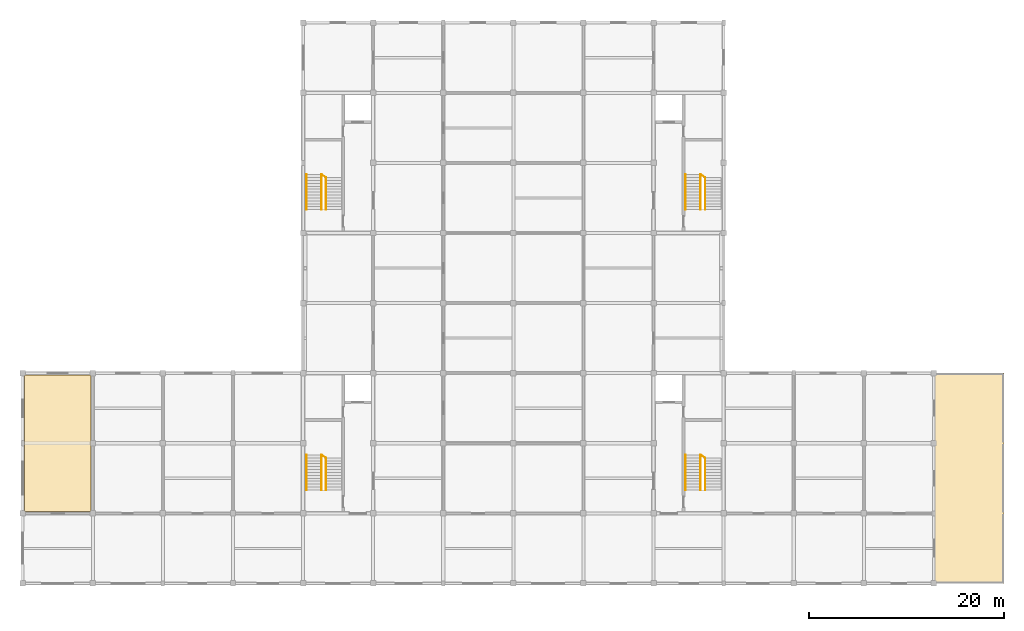
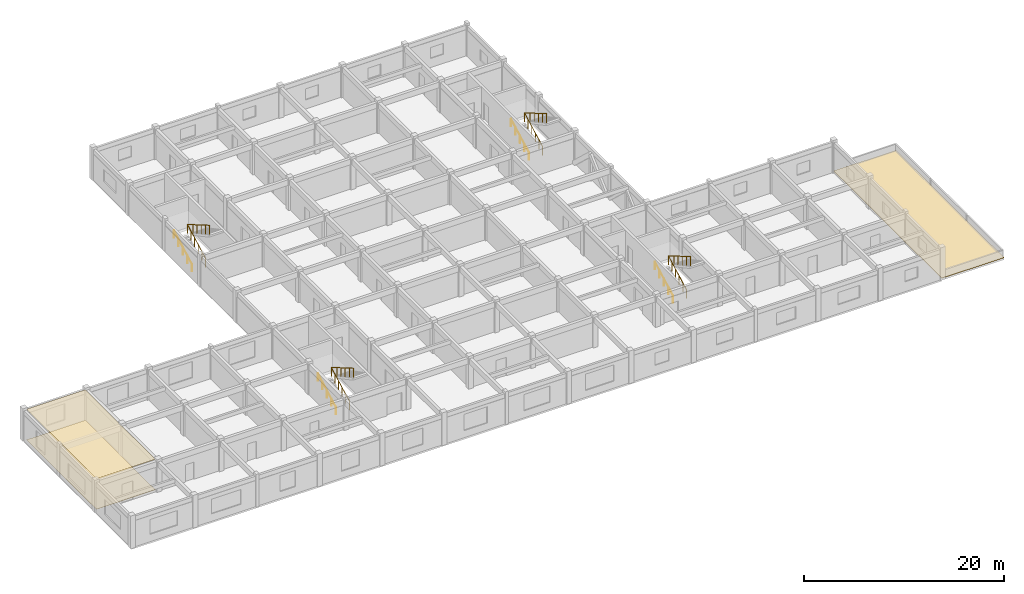
# One storey, part 10 of 10: 8 railings, 3 coverings.
"""IFC4 building model written with IfcOpenShell, lengths in metres."""

import ifcopenshell
import ifcopenshell.guid

model = None  # the IFC model being written
_history = None  # IfcOwnerHistory: only IFC2X3 demands one
_inside = {}  # id of a spatial element -> (the spatial element, [elements in it])
_under = {}  # id of a project, library or spatial element -> (it, [spatial elements below it])
_declared = {}  # id of a project -> (the project, [libraries it declares])
_typed = {}  # id of a type object -> (the type object, [elements of that type])
_made_of = {}  # id of a material, layer set ... -> (it, [elements and type objects made of it])


def new_model(schema):
    """Start an empty IFC model of exactly this schema.

    Asked for "IFC4X3", IfcOpenShell would pick the latest addendum, in which some entities
    have other attributes; the version numbers below select the first issue.
    IFC2X3 requires an IfcOwnerHistory on every rooted entity: one is made here for all.
    """
    global model, _history
    if schema == "IFC4X3":
        model = ifcopenshell.file(schema_version=(4, 3, 0, 0))
    else:
        model = ifcopenshell.file(schema=schema)
    _inside.clear()
    _under.clear()
    _declared.clear()
    _typed.clear()
    _made_of.clear()
    _history = None
    if model.schema == "IFC2X3":
        org = make("IfcOrganization", Name="unknown")
        user = make(
            "IfcPersonAndOrganization",
            ThePerson=make("IfcPerson", FamilyName="unknown"),
            TheOrganization=org,
        )
        app = make(
            "IfcApplication",
            ApplicationDeveloper=org,
            Version="unknown",
            ApplicationFullName="unknown",
            ApplicationIdentifier="unknown",
        )
        _history = make(
            "IfcOwnerHistory",
            OwningUser=user,
            OwningApplication=app,
            ChangeAction="ADDED",
            CreationDate=0,
        )
    return model


def make(cls, **values):
    """One entity of the class cls with the attributes given. An attribute that is None is left unset."""
    return model.create_entity(
        cls, **{name: value for name, value in values.items() if value is not None}
    )


def rooted(cls, **values):
    """An entity with a GlobalId (a new one), such as an element, a storey or a relation."""
    return make(cls, GlobalId=ifcopenshell.guid.new(), OwnerHistory=_history, **values)


def si_unit(unit_type, name, prefix=None):
    """IfcSIUnit, for example si_unit("LENGTHUNIT", "METRE", prefix="MILLI")."""
    return make("IfcSIUnit", UnitType=unit_type, Prefix=prefix, Name=name)


def assignment(units):
    """IfcUnitAssignment: the units of a project."""
    return None if units is None else make("IfcUnitAssignment", Units=units)


def point(xyz):
    """IfcCartesianPoint."""
    return None if xyz is None else make("IfcCartesianPoint", Coordinates=xyz)


def direction(xyz):
    """IfcDirection."""
    return None if xyz is None else make("IfcDirection", DirectionRatios=xyz)


def frame(location, z_axis=None, x_axis=None):
    """IfcAxis2Placement3D, a coordinate frame: its origin and axes. An axis left out is left unset."""
    return make(
        "IfcAxis2Placement3D",
        Location=point(location),
        Axis=direction(z_axis),
        RefDirection=direction(x_axis),
    )


def frame_2d(location, x_axis=None):
    """IfcAxis2Placement2D, a coordinate frame in the plane: its origin and x axis."""
    return make(
        "IfcAxis2Placement2D", Location=point(location), RefDirection=direction(x_axis)
    )


def origin():
    """The frame at (0, 0, 0) with its axes left unset."""
    return frame((0.0, 0.0, 0.0))


def origin_2d():
    """The frame at (0, 0) in the plane with its x axis left unset."""
    return frame_2d((0.0, 0.0))


def place(relative_to, where):
    """IfcLocalPlacement: puts the frame where relative to a parent placement (None: the world)."""
    return make(
        "IfcLocalPlacement", PlacementRelTo=relative_to, RelativePlacement=where
    )


def context(
    kind, dimensions, precision=None, world=None, true_north=None, identifier=None
):
    """IfcGeometricRepresentationContext, for example the 3D "Model" context."""
    return make(
        "IfcGeometricRepresentationContext",
        ContextIdentifier=identifier,
        ContextType=kind,
        CoordinateSpaceDimension=dimensions,
        Precision=precision,
        WorldCoordinateSystem=world,
        TrueNorth=true_north,
    )


def subcontext(parent, identifier, kind, view, scale=None):
    """IfcGeometricRepresentationSubContext, for example "Body" below "Model"."""
    return make(
        "IfcGeometricRepresentationSubContext",
        ContextIdentifier=identifier,
        ContextType=kind,
        ParentContext=parent,
        TargetScale=scale,
        TargetView=view,
    )


def project(units=None, contexts=None):
    """IfcProject with its units and contexts."""
    return rooted(
        "IfcProject",
        Name="project",
        RepresentationContexts=contexts,
        UnitsInContext=assignment(units),
    )


def spatial(cls, under=None, at=None, **own):
    """A site, building, storey or space (cls), placed at a placement, below another one or the project."""
    s = rooted(cls, ObjectPlacement=at, **own)
    if under is not None:
        _under.setdefault(under.id(), (under, []))[1].append(s)
    return s


def polyline(points):
    """IfcPolyline through the points."""
    return make("IfcPolyline", Points=[point(p) for p in points])


def profile(cls, at=None, kind="AREA", **sizes):
    """A parametric profile (cls). Its sizes go by their IFC names, for example OverallWidth=200.0."""
    return make(cls, ProfileType=kind, Position=at, **sizes)


def circle(**sizes):
    """IfcCircleProfileDef."""
    return profile("IfcCircleProfileDef", **sizes)


def outline(outer, holes=None, kind="AREA"):
    """IfcArbitraryClosedProfileDef: a profile drawn as a closed curve; with holes, ...WithVoids."""
    if holes is None:
        return make("IfcArbitraryClosedProfileDef", ProfileType=kind, OuterCurve=outer)
    return make(
        "IfcArbitraryProfileDefWithVoids",
        ProfileType=kind,
        OuterCurve=outer,
        InnerCurves=holes,
    )


def extrude(swept, where, along, depth):
    """IfcExtrudedAreaSolid: the profile swept, set in the frame where, extruded along a direction by depth."""
    return make(
        "IfcExtrudedAreaSolid",
        SweptArea=swept,
        Position=where,
        ExtrudedDirection=direction(along),
        Depth=depth,
    )


def shape(context_of_items, identifier, shape_type, items):
    """IfcShapeRepresentation: the items that make up one representation, for example the "Body"."""
    return make(
        "IfcShapeRepresentation",
        ContextOfItems=context_of_items,
        RepresentationIdentifier=identifier,
        RepresentationType=shape_type,
        Items=items,
    )


def material(Name=None, Category=None):
    """IfcMaterial."""
    return make("IfcMaterial", Name=Name, Category=Category)


def layer(
    of_material, thickness, ventilated=None, Name=None, Category=None, Priority=None
):
    """IfcMaterialLayer: one layer of a wall or slab, of a material (None: an air gap)."""
    return make(
        "IfcMaterialLayer",
        Material=of_material,
        LayerThickness=thickness,
        IsVentilated=ventilated,
        Name=Name,
        Category=Category,
        Priority=Priority,
    )


def layer_set(layers, Name=None):
    """IfcMaterialLayerSet."""
    return make("IfcMaterialLayerSet", MaterialLayers=layers, LayerSetName=Name)


def made_of(thing, what):
    """Note that an element or type object is made of a material, layer set ...; save() writes the relation."""
    if what is not None:
        _made_of.setdefault(what.id(), (what, []))[1].append(thing)
    return thing


def type_object(cls, material=None, **own):
    """A type object (cls), such as IfcWallType, which elements share."""
    return made_of(rooted(cls, **own), material)


def element(
    cls,
    number,
    at=None,
    inside=None,
    cuts=None,
    type_object=None,
    material=None,
    context=None,
    identifier="Body",
    shape_type=None,
    held_by="IfcProductDefinitionShape",
    body=None,
    shapes=None,
    **own,
):
    """One element of the class cls, such as IfcWall. Its Tag is "e" and its number.

    at: its placement. inside: the storey or other place that contains it. cuts: it is an
    opening in that element (IfcRelVoidsElement). A single representation is given by context,
    identifier, shape_type and body (its items); several are given by shapes. held_by: the class
    of the entity that holds the representations. save() writes the other relations.
    """
    e = rooted(cls, Tag="e%d" % number, ObjectPlacement=at, **own)
    if body is not None:
        shapes = [shape(context, identifier, shape_type, body)]
    if shapes is not None:
        e.Representation = make(held_by, Representations=shapes)
    if inside is not None:
        _inside.setdefault(inside.id(), (inside, []))[1].append(e)
    if cuts is not None:
        rooted(
            "IfcRelVoidsElement", RelatingBuildingElement=cuts, RelatedOpeningElement=e
        )
    if type_object is not None:
        _typed.setdefault(type_object.id(), (type_object, []))[1].append(e)
    return made_of(e, material)


def aggregate(whole, parts):
    """IfcRelAggregates: a whole, such as a stair, and the parts it consists of."""
    return rooted("IfcRelAggregates", RelatingObject=whole, RelatedObjects=parts)


def save(model, path):
    """Write the relations noted so far, then the file.

    IfcRelAggregates (storeys below a building ...), IfcRelContainedInSpatialStructure (elements
    in a storey), IfcRelDefinesByType, IfcRelAssociatesMaterial and IfcRelDeclares: one each for
    every whole, place, type object, material and project.
    """
    for whole, parts in _under.values():
        aggregate(whole, parts)
    for where, things in _inside.values():
        rooted(
            "IfcRelContainedInSpatialStructure",
            RelatedElements=things,
            RelatingStructure=where,
        )
    for kind, things in _typed.values():
        rooted("IfcRelDefinesByType", RelatedObjects=things, RelatingType=kind)
    for what, things in _made_of.values():
        rooted("IfcRelAssociatesMaterial", RelatedObjects=things, RelatingMaterial=what)
    for by, libraries in _declared.values():
        rooted("IfcRelDeclares", RelatingContext=by, RelatedDefinitions=libraries)
    model.write(path)


model = new_model("IFC4")

# Units and contexts
model_context = context("Model", 3, precision=1e-05, world=origin(), true_north=direction((0.0, 1.0)))
body_context = subcontext(model_context, "Body", "Model", "MODEL_VIEW")
ifc_project = project(units=[si_unit("LENGTHUNIT", "METRE"), si_unit("AREAUNIT", "SQUARE_METRE"), si_unit("VOLUMEUNIT", "CUBIC_METRE"), si_unit("PLANEANGLEUNIT", "RADIAN"), si_unit("MASSUNIT", "GRAM", prefix="KILO")], contexts=[model_context])

# Site, building, storey
site_placement = place(None, origin())
site = spatial("IfcSite", under=ifc_project, at=site_placement, CompositionType="ELEMENT")
building_placement = place(site_placement, origin())
building = spatial("IfcBuilding", under=site, at=building_placement, Name="Cendaluz Park School", CompositionType="ELEMENT")
storey_placement = place(building_placement, frame((0.0, 0.0, 34.800048828125)))
storey = spatial("IfcBuildingStorey", under=building, at=storey_placement, Name="L08", CompositionType="ELEMENT", Elevation=34.800048828125)

# Coverings
ifc_material_1 = material(Name="Mineral Fibre Acoustic Tile")
ifc_layer_1 = layer(ifc_material_1, 0.030029296875)
ifc_layer_set_1 = layer_set([ifc_layer_1], Name="Mineral Fibre Acoustic Tile")
covering_type_1 = type_object("IfcCoveringType", Name="CV-CLG01", PredefinedType="CEILING", material=ifc_layer_set_1)
covering_1_placement = place(storey_placement, frame((0.0, 0.0, 3.72998046875)))
element("IfcCovering", 1, at=covering_1_placement, inside=storey, type_object=covering_type_1, Name="CV-CLG-L08-01", PredefinedType="CEILING", context=body_context, shape_type="SweptSolid", body=[
    extrude(outline(polyline([(36.199951171875, 14.60009765625), (43.0, 14.60009765625), (43.0, 28.60009765625), (36.199951171875, 28.60009765625), (36.199951171875, 14.60009765625)])), origin(), (0.0, 0.0, 1.0), 0.030029296875),
])
ifc_material_2 = material(Name="Polished Terrazzo Tile")
ifc_layer_2 = layer(ifc_material_2, 0.02001953125)
ifc_layer_set_2 = layer_set([ifc_layer_2], Name="Polished Terrazzo Tile")
covering_type_2 = type_object("IfcCoveringType", Name="CV-FLR01", PredefinedType="FLOORING", material=ifc_layer_set_2)
covering_2_placement = place(storey_placement, origin())
element("IfcCovering", 2, at=covering_2_placement, inside=storey, type_object=covering_type_2, Name="CV-FLR-L08-01", PredefinedType="FLOORING", context=body_context, shape_type="SweptSolid", body=[
    extrude(outline(polyline([(36.199951171875, 14.60009765625), (43.0, 14.60009765625), (43.0, 28.60009765625), (36.199951171875, 28.60009765625), (36.199951171875, 14.60009765625)])), origin(), (0.0, 0.0, 1.0), 0.02001953125),
])
ifc_material_3 = material(Name="EPDM Roofing Membrane")
ifc_layer_3 = layer(ifc_material_3, 0.06005859375)
ifc_layer_set_3 = layer_set([ifc_layer_3], Name="EPDM Roofing Membrane")
covering_type_3 = type_object("IfcCoveringType", Name="CV-RF01", PredefinedType="ROOFING", material=ifc_layer_set_3)
covering_3_placement = place(storey_placement, origin())
element("IfcCovering", 3, at=covering_3_placement, inside=storey, type_object=covering_type_3, Name="CV-RF-L07-04", PredefinedType="ROOFING", context=body_context, shape_type="SweptSolid", body=[
    extrude(outline(polyline([(136.800048828125, 7.199951171875), (129.60009765625, 7.199951171875), (129.60009765625, 28.800048828125), (136.800048828125, 28.800048828125), (136.800048828125, 7.199951171875)])), origin(), (0.0, 0.0, 1.0), 0.06005859375),
])

# Railings
ifc_material_4 = material(Name="Wrought Iron")
railing_type_1 = type_object("IfcRailingType", Name="GR-ST01", PredefinedType="BALUSTRADE", material=ifc_material_4)
railing_1_placement = place(storey_placement, frame((66.68994140625, 16.800048828125, 0.159912109375)))
element("IfcRailing", 4, at=railing_1_placement, inside=storey, type_object=railing_type_1, Name="GR-ST-019", PredefinedType="BALUSTRADE", context=body_context, shape_type="SweptSolid", body=[
    extrude(circle(Radius=0.02392578125, at=origin_2d()), frame((0.0, 0.0, 1.076171875), z_axis=(0.0, 0.882352941176, 0.470588235294), x_axis=(-1.0, 0.0, 0.0)), (0.0, 0.0, 1.0), 4.079833984375),
    extrude(circle(Radius=0.02392578125, at=origin_2d()), frame((0.0, 3.599853515625, 2.99609375), z_axis=(0.843065864119, -0.537810327864, 0.0), x_axis=(0.537810327864, 0.843065864119, 0.0)), (0.0, 0.0, 1.0), 0.557373046875),
    extrude(circle(Radius=0.02392578125, at=origin_2d()), frame((0.469970703125, 3.300048828125, 2.99609375), z_axis=(0.0, -0.86433267106, 0.502920504393), x_axis=(1.0, 0.0, 0.0)), (0.0, 0.0, 1.0), 3.818115234375),
    extrude(circle(Radius=0.02099609375, at=origin_2d()), origin(), (0.0, 0.0, 1.0), 1.052001953125),
    extrude(circle(Radius=0.02099609375, at=origin_2d()), frame((0.0, 0.719970703125, 0.384033203125)), (0.0, 0.0, 1.0), 1.052001953125),
    extrude(circle(Radius=0.02099609375, at=origin_2d()), frame((0.0, 1.43994140625, 0.76806640625)), (0.0, 0.0, 1.0), 1.052001953125),
    extrude(circle(Radius=0.02099609375, at=origin_2d()), frame((0.0, 2.159912109375, 1.15185546875)), (0.0, 0.0, 1.0), 1.052001953125),
    extrude(circle(Radius=0.02099609375, at=origin_2d()), frame((0.0, 2.8798828125, 1.535888671875)), (0.0, 0.0, 1.0), 1.052001953125),
    extrude(circle(Radius=0.02099609375, at=origin_2d()), frame((0.0, 3.599853515625, 1.919921875)), (0.0, 0.0, 1.0), 1.052001953125),
    extrude(circle(Radius=0.02099609375, at=origin_2d()), frame((0.469970703125, 3.300048828125, 1.919921875)), (0.0, 0.0, 1.0), 1.052001953125),
    extrude(circle(Radius=0.02099609375, at=origin_2d()), frame((0.469970703125, 2.47509765625, 2.39990234375)), (0.0, 0.0, 1.0), 1.052001953125),
    extrude(circle(Radius=0.02099609375, at=origin_2d()), frame((0.469970703125, 1.64990234375, 2.8798828125)), (0.0, 0.0, 1.0), 1.052001953125),
    extrude(circle(Radius=0.02099609375, at=origin_2d()), frame((0.469970703125, 0.824951171875, 3.360107421875)), (0.0, 0.0, 1.0), 1.052001953125),
    extrude(circle(Radius=0.02099609375, at=origin_2d()), frame((0.469970703125, 0.0, 3.840087890625)), (0.0, 0.0, 1.0), 1.052001953125),
])
railing_2_placement = place(storey_placement, frame((105.639892578125, 16.800048828125, 0.159912109375)))
element("IfcRailing", 5, at=railing_2_placement, inside=storey, type_object=railing_type_1, Name="GR-ST-054", PredefinedType="BALUSTRADE", context=body_context, shape_type="SweptSolid", body=[
    extrude(circle(Radius=0.02392578125, at=origin_2d()), frame((0.0, 0.0, 1.076171875), z_axis=(0.0, 0.882352941176, 0.470588235294), x_axis=(-1.0, 0.0, 0.0)), (0.0, 0.0, 1.0), 4.079833984375),
    extrude(circle(Radius=0.02392578125, at=origin_2d()), frame((0.0, 3.599853515625, 2.99609375), z_axis=(0.843192468449, -0.537611812697, 0.0), x_axis=(0.537611812697, 0.843192468449, 0.0)), (0.0, 0.0, 1.0), 0.5576171875),
    extrude(circle(Radius=0.02392578125, at=origin_2d()), frame((0.47021484375, 3.300048828125, 2.99609375), z_axis=(0.0, -0.86433267106, 0.502920504393), x_axis=(1.0, 0.0, 0.0)), (0.0, 0.0, 1.0), 3.818115234375),
    extrude(circle(Radius=0.02099609375, at=origin_2d()), origin(), (0.0, 0.0, 1.0), 1.052001953125),
    extrude(circle(Radius=0.02099609375, at=origin_2d()), frame((0.0, 0.719970703125, 0.384033203125)), (0.0, 0.0, 1.0), 1.052001953125),
    extrude(circle(Radius=0.02099609375, at=origin_2d()), frame((0.0, 1.43994140625, 0.76806640625)), (0.0, 0.0, 1.0), 1.052001953125),
    extrude(circle(Radius=0.02099609375, at=origin_2d()), frame((0.0, 2.159912109375, 1.15185546875)), (0.0, 0.0, 1.0), 1.052001953125),
    extrude(circle(Radius=0.02099609375, at=origin_2d()), frame((0.0, 2.8798828125, 1.535888671875)), (0.0, 0.0, 1.0), 1.052001953125),
    extrude(circle(Radius=0.02099609375, at=origin_2d()), frame((0.0, 3.599853515625, 1.919921875)), (0.0, 0.0, 1.0), 1.052001953125),
    extrude(circle(Radius=0.02099609375, at=origin_2d()), frame((0.47021484375, 3.300048828125, 1.919921875)), (0.0, 0.0, 1.0), 1.052001953125),
    extrude(circle(Radius=0.02099609375, at=origin_2d()), frame((0.47021484375, 2.47509765625, 2.39990234375)), (0.0, 0.0, 1.0), 1.052001953125),
    extrude(circle(Radius=0.02099609375, at=origin_2d()), frame((0.47021484375, 1.64990234375, 2.8798828125)), (0.0, 0.0, 1.0), 1.052001953125),
    extrude(circle(Radius=0.02099609375, at=origin_2d()), frame((0.47021484375, 0.824951171875, 3.360107421875)), (0.0, 0.0, 1.0), 1.052001953125),
    extrude(circle(Radius=0.02099609375, at=origin_2d()), frame((0.47021484375, 0.0, 3.840087890625)), (0.0, 0.0, 1.0), 1.052001953125),
])
railing_3_placement = place(storey_placement, frame((66.68994140625, 45.60009765625, 0.159912109375)))
element("IfcRailing", 6, at=railing_3_placement, inside=storey, type_object=railing_type_1, Name="GR-ST-089", PredefinedType="BALUSTRADE", context=body_context, shape_type="SweptSolid", body=[
    extrude(circle(Radius=0.02392578125, at=origin_2d()), frame((0.0, 0.0, 1.076171875), z_axis=(0.0, 0.882352941176, 0.470588235294), x_axis=(-1.0, 0.0, 0.0)), (0.0, 0.0, 1.0), 4.079833984375),
    extrude(circle(Radius=0.02392578125, at=origin_2d()), frame((0.0, 3.599853515625, 2.99609375), z_axis=(0.842867279897, -0.538121499737, 0.0), x_axis=(0.538121499737, 0.842867279897, 0.0)), (0.0, 0.0, 1.0), 0.5576171875),
    extrude(circle(Radius=0.02392578125, at=origin_2d()), frame((0.469970703125, 3.2998046875, 2.99609375), z_axis=(0.0, -0.864316496394, 0.502948301579), x_axis=(1.0, 0.0, 0.0)), (0.0, 0.0, 1.0), 3.81787109375),
    extrude(circle(Radius=0.02099609375, at=origin_2d()), origin(), (0.0, 0.0, 1.0), 1.052001953125),
    extrude(circle(Radius=0.02099609375, at=origin_2d()), frame((0.0, 0.719970703125, 0.384033203125)), (0.0, 0.0, 1.0), 1.052001953125),
    extrude(circle(Radius=0.02099609375, at=origin_2d()), frame((0.0, 1.43994140625, 0.76806640625)), (0.0, 0.0, 1.0), 1.052001953125),
    extrude(circle(Radius=0.02099609375, at=origin_2d()), frame((0.0, 2.159912109375, 1.15185546875)), (0.0, 0.0, 1.0), 1.052001953125),
    extrude(circle(Radius=0.02099609375, at=origin_2d()), frame((0.0, 2.8798828125, 1.535888671875)), (0.0, 0.0, 1.0), 1.052001953125),
    extrude(circle(Radius=0.02099609375, at=origin_2d()), frame((0.0, 3.599853515625, 1.919921875)), (0.0, 0.0, 1.0), 1.052001953125),
    extrude(circle(Radius=0.02099609375, at=origin_2d()), frame((0.469970703125, 3.2998046875, 1.919921875)), (0.0, 0.0, 1.0), 1.052001953125),
    extrude(circle(Radius=0.02099609375, at=origin_2d()), frame((0.469970703125, 2.474853515625, 2.39990234375)), (0.0, 0.0, 1.0), 1.052001953125),
    extrude(circle(Radius=0.02099609375, at=origin_2d()), frame((0.469970703125, 1.64990234375, 2.8798828125)), (0.0, 0.0, 1.0), 1.052001953125),
    extrude(circle(Radius=0.02099609375, at=origin_2d()), frame((0.469970703125, 0.824951171875, 3.360107421875)), (0.0, 0.0, 1.0), 1.052001953125),
    extrude(circle(Radius=0.02099609375, at=origin_2d()), frame((0.469970703125, 0.0, 3.840087890625)), (0.0, 0.0, 1.0), 1.052001953125),
])
railing_4_placement = place(storey_placement, frame((105.639892578125, 45.60009765625, 0.159912109375)))
element("IfcRailing", 7, at=railing_4_placement, inside=storey, type_object=railing_type_1, Name="GR-ST-124", PredefinedType="BALUSTRADE", context=body_context, shape_type="SweptSolid", body=[
    extrude(circle(Radius=0.02392578125, at=origin_2d()), frame((0.0, 0.0, 1.076171875), z_axis=(0.0, 0.882352941176, 0.470588235294), x_axis=(-1.0, 0.0, 0.0)), (0.0, 0.0, 1.0), 4.079833984375),
    extrude(circle(Radius=0.02392578125, at=origin_2d()), frame((0.0, 3.599853515625, 2.99609375), z_axis=(0.84299400095, -0.537922963223, 0.0), x_axis=(0.537922963223, 0.84299400095, 0.0)), (0.0, 0.0, 1.0), 0.557861328125),
    extrude(circle(Radius=0.02392578125, at=origin_2d()), frame((0.47021484375, 3.2998046875, 2.99609375), z_axis=(0.0, -0.864316496394, 0.502948301579), x_axis=(1.0, 0.0, 0.0)), (0.0, 0.0, 1.0), 3.81787109375),
    extrude(circle(Radius=0.02099609375, at=origin_2d()), origin(), (0.0, 0.0, 1.0), 1.052001953125),
    extrude(circle(Radius=0.02099609375, at=origin_2d()), frame((0.0, 0.719970703125, 0.384033203125)), (0.0, 0.0, 1.0), 1.052001953125),
    extrude(circle(Radius=0.02099609375, at=origin_2d()), frame((0.0, 1.43994140625, 0.76806640625)), (0.0, 0.0, 1.0), 1.052001953125),
    extrude(circle(Radius=0.02099609375, at=origin_2d()), frame((0.0, 2.159912109375, 1.15185546875)), (0.0, 0.0, 1.0), 1.052001953125),
    extrude(circle(Radius=0.02099609375, at=origin_2d()), frame((0.0, 2.8798828125, 1.535888671875)), (0.0, 0.0, 1.0), 1.052001953125),
    extrude(circle(Radius=0.02099609375, at=origin_2d()), frame((0.0, 3.599853515625, 1.919921875)), (0.0, 0.0, 1.0), 1.052001953125),
    extrude(circle(Radius=0.02099609375, at=origin_2d()), frame((0.47021484375, 3.2998046875, 1.919921875)), (0.0, 0.0, 1.0), 1.052001953125),
    extrude(circle(Radius=0.02099609375, at=origin_2d()), frame((0.47021484375, 2.474853515625, 2.39990234375)), (0.0, 0.0, 1.0), 1.052001953125),
    extrude(circle(Radius=0.02099609375, at=origin_2d()), frame((0.47021484375, 1.64990234375, 2.8798828125)), (0.0, 0.0, 1.0), 1.052001953125),
    extrude(circle(Radius=0.02099609375, at=origin_2d()), frame((0.47021484375, 0.824951171875, 3.360107421875)), (0.0, 0.0, 1.0), 1.052001953125),
    extrude(circle(Radius=0.02099609375, at=origin_2d()), frame((0.47021484375, 0.0, 3.840087890625)), (0.0, 0.0, 1.0), 1.052001953125),
])
ifc_material_5 = material(Name="Architectural Bronze")
railing_type_2 = type_object("IfcRailingType", Name="HR-ST01", PredefinedType="HANDRAIL", material=ifc_material_5)
for number, where, name in (
    (8, (65.14990234375, 16.800048828125, 0.159912109375), "HR-ST-020"),
    (9, (104.10009765625, 16.800048828125, 0.159912109375), "HR-ST-055"),
    (10, (65.14990234375, 45.60009765625, 0.159912109375), "HR-ST-090"),
    (11, (104.10009765625, 45.60009765625, 0.159912109375), "HR-ST-125"),
):
    element("IfcRailing", number, at=place(storey_placement, frame(where)), inside=storey, type_object=railing_type_2, Name=name, PredefinedType="HANDRAIL", context=body_context, shape_type="SweptSolid", body=[
        extrude(circle(Radius=0.02392578125, at=origin_2d()), frame((0.0, 0.0, 0.8759765625), z_axis=(0.0, 0.882352941176, 0.470588235294), x_axis=(-1.0, 0.0, 0.0)), (0.0, 0.0, 1.0), 4.079833984375),
        extrude(circle(Radius=0.02099609375, at=origin_2d()), origin(), (0.0, 0.0, 1.0), 0.851806640625),
        extrude(circle(Radius=0.02099609375, at=origin_2d()), frame((0.0, 0.89990234375, 0.47998046875)), (0.0, 0.0, 1.0), 0.851806640625),
        extrude(circle(Radius=0.02099609375, at=origin_2d()), frame((0.0, 1.7998046875, 0.9599609375)), (0.0, 0.0, 1.0), 0.851806640625),
        extrude(circle(Radius=0.02099609375, at=origin_2d()), frame((0.0, 2.699951171875, 1.43994140625)), (0.0, 0.0, 1.0), 0.851806640625),
        extrude(circle(Radius=0.02099609375, at=origin_2d()), frame((0.0, 3.599853515625, 1.919921875)), (0.0, 0.0, 1.0), 0.851806640625),
    ])

save(model, "model.ifc")
